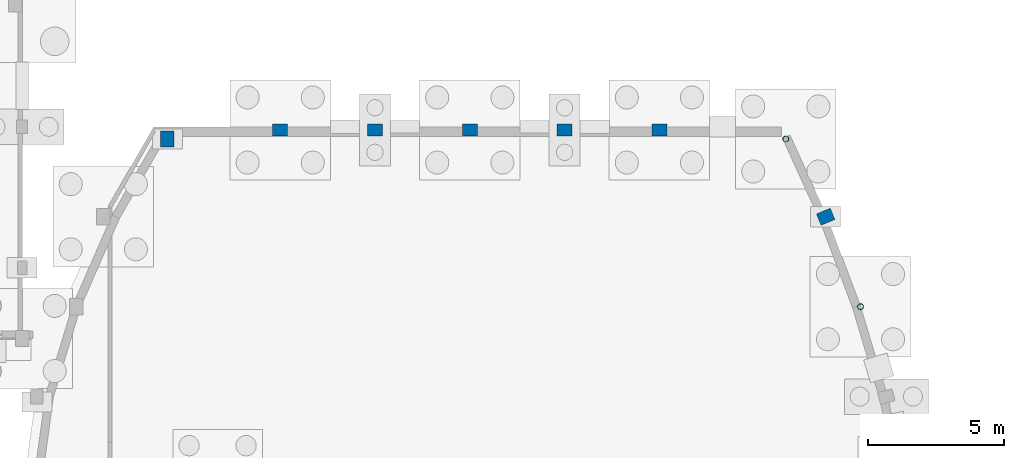
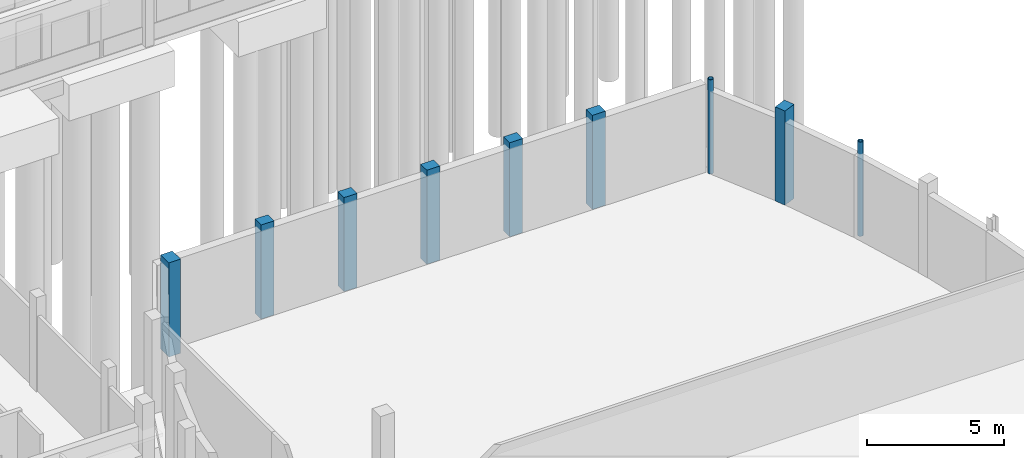
# One storey, part 26 of 93: 9 columns.
"""IFC4 building model written with IfcOpenShell, lengths in metres."""

from ifc_helpers import new_model, si_unit, direction, frame, origin, origin_2d, place, context, subcontext, project, spatial, rectangle, hollow_circle, extrude, material, material_profile, profile_set, type_object, element, save


model = new_model("IFC4")

# Units and contexts
model_context = context("Model", 3, precision=1e-05, world=origin(), true_north=direction((0.0, 1.0)))
body_context = subcontext(model_context, "Body", "Model", "MODEL_VIEW")
ifc_project = project(units=[si_unit("LENGTHUNIT", "METRE"), si_unit("AREAUNIT", "SQUARE_METRE"), si_unit("VOLUMEUNIT", "CUBIC_METRE"), si_unit("PLANEANGLEUNIT", "RADIAN"), si_unit("MASSUNIT", "GRAM", prefix="KILO")], contexts=[model_context])

# Site, building, storey
site_placement = place(None, origin())
site = spatial("IfcSite", under=ifc_project, at=site_placement, CompositionType="ELEMENT")
building_placement = place(site_placement, origin())
building = spatial("IfcBuilding", under=site, at=building_placement, Name="Kelanivale Promenade Academy", CompositionType="ELEMENT")
storey_placement = place(building_placement, origin())
storey = spatial("IfcBuildingStorey", under=building, at=storey_placement, Name="L00", CompositionType="ELEMENT", Elevation=0.0)

# Columns
ifc_material_1 = material(Name="Concrete C40/50", Category="concrete")
ifc_material_profile_1 = material_profile(ifc_material_1, rectangle(XDim=0.449951171875, YDim=0.550048828125, at=origin_2d()), Name="RC-PIL 450x550")
ifc_profile_set_1 = profile_set([ifc_material_profile_1], Name="Concrete C40/50")
column_type_1 = type_object("IfcColumnType", Name="PL-17 RC-PIL 450x550", PredefinedType="PILASTER", material=ifc_profile_set_1)
for number, where, z_axis, x_axis, name in (
    (1, (132.30810546875, 79.280029296875, 0.0), (0.0, 0.0, 1.0), (0.0, 1.0, 0.0), "Column PL-17 at (132.3, 79.3) L00"),
    (2, (135.801025390625, 79.280029296875, 0.0), (0.0, 0.0, 1.0), (0.0, 1.0, 0.0), "Column PL-17 at (135.8, 79.3) L00"),
    (3, (139.2939453125, 79.280029296875, 0.0), (0.0, 0.0, 1.0), (0.0, 1.0, 0.0), "Column PL-17 at (139.3, 79.3) L00"),
    (4, (142.787109375, 79.280029296875, 0.0), (0.0, 0.0, 1.0), (0.0, 1.0, 0.0), "Column PL-17 at (142.8, 79.3) L00"),
    (5, (146.280029296875, 79.280029296875, 0.0), (0.0, 0.0, 1.0), (0.0, 1.0, 0.0), "Column PL-17 at (146.3, 79.3) L00"),
    (6, (152.406982421875, 76.0859375, 0.0), (0.0, 0.0, 1.0), (-0.382360914263, 0.92401305794, 0.0), "Column PL-17 at (152.4, 76.1) L00"),
):
    element("IfcColumn", number, at=place(storey_placement, frame(where, z_axis=z_axis, x_axis=x_axis)), inside=storey, type_object=column_type_1, Name=name, PredefinedType="PILASTER", context=body_context, shape_type="SweptSolid", body=[
        extrude(rectangle(XDim=0.449951171875, YDim=0.550048828125, at=origin_2d()), origin(), (0.0, 0.0, 1.0), 4.199951171875),
    ])
ifc_material_profile_2 = material_profile(ifc_material_1, rectangle(XDim=0.5, YDim=0.60009765625, at=origin_2d()), Name="RC-PIL 500x600")
ifc_profile_set_2 = profile_set([ifc_material_profile_2], Name="Concrete C40/50")
column_type_2 = type_object("IfcColumnType", Name="PL-18 RC-PIL 500x600", PredefinedType="PILASTER", material=ifc_profile_set_2)
column_placement = place(storey_placement, frame((128.14990234375, 78.949951171875, 0.0), z_axis=(0.0, 0.0, 1.0), x_axis=(1.0, 0.0, 0.0)))
element("IfcColumn", 7, at=column_placement, inside=storey, type_object=column_type_2, Name="Column PL-18 at (128.2, 79.0) L00", PredefinedType="PILASTER", context=body_context, shape_type="SweptSolid", body=[
    extrude(rectangle(XDim=0.5, YDim=0.60009765625, at=origin_2d()), origin(), (0.0, 0.0, 1.0), 4.199951171875),
])
ifc_material_2 = material(Name="Steel S355", Category="steel")
ifc_material_profile_3 = material_profile(ifc_material_2, hollow_circle(Radius=0.109619140625, WallThickness=0.010009765625, at=origin_2d()), Name="CHS 219.1x10.0")
ifc_profile_set_3 = profile_set([ifc_material_profile_3], Name="Steel S355")
column_type_3 = type_object("IfcColumnType", Name="SC-06 CHS 219.1x10.0", PredefinedType="PILASTER", material=ifc_profile_set_3)
for number, where, z_axis, x_axis, name in (
    (8, (150.93798828125, 78.949951171875, 0.0), (0.0, 0.0, 1.0), (-0.44619781311, 0.894934361602, 0.0), "Column SC-06 at (150.9, 79.0) L00"),
    (9, (153.68896484375, 72.77099609375, 0.0), (0.0, 0.0, 1.0), (-0.318628456287, 0.947879690069, 0.0), "Column SC-06 at (153.7, 72.8) L00"),
):
    element("IfcColumn", number, at=place(storey_placement, frame(where, z_axis=z_axis, x_axis=x_axis)), inside=storey, type_object=column_type_3, Name=name, PredefinedType="PILASTER", context=body_context, shape_type="SweptSolid", body=[
        extrude(hollow_circle(Radius=0.109619140625, WallThickness=0.010009765625, at=origin_2d()), origin(), (0.0, 0.0, 1.0), 4.199951171875),
    ])

save(model, "model.ifc")
